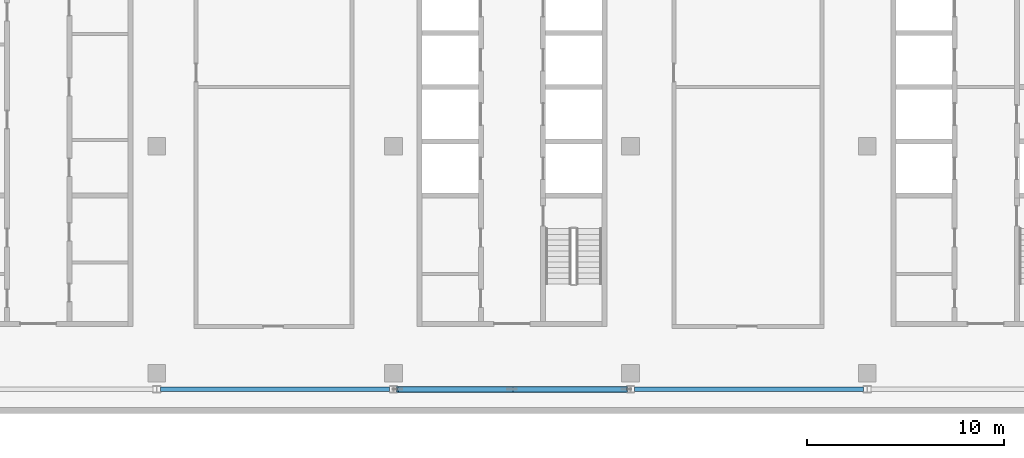
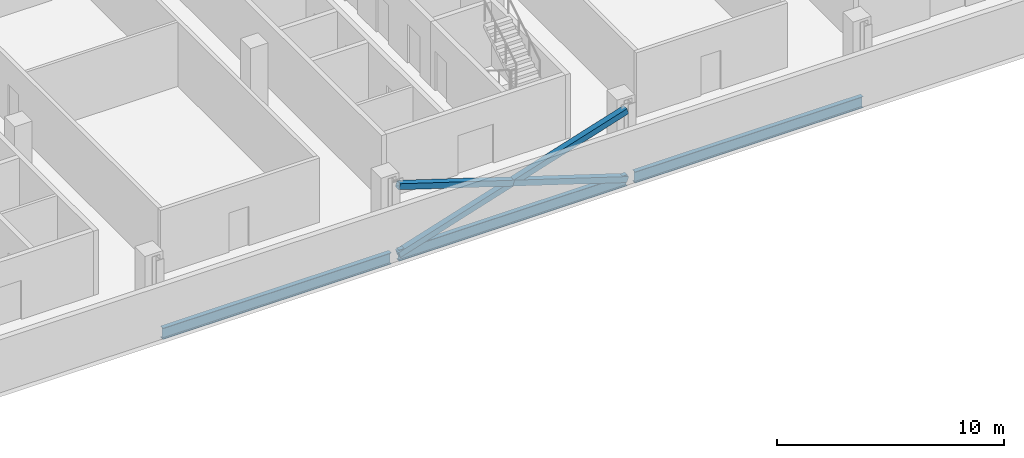
# One storey, part 7 of 28: 3 beams, 3 members.
"""IFC4 building model written with IfcOpenShell, lengths in metres."""

from ifc_helpers import new_model, si_unit, direction, frame, origin, origin_2d, place, context, subcontext, project, spatial, hollow_rectangle, i_section, extrude, material, material_profile, profile_set, type_object, element, save


model = new_model("IFC4")

# Units and contexts
model_context = context("Model", 3, precision=1e-05, world=origin(), true_north=direction((0.0, 1.0)))
body_context = subcontext(model_context, "Body", "Model", "MODEL_VIEW")
ifc_project = project(units=[si_unit("LENGTHUNIT", "METRE"), si_unit("AREAUNIT", "SQUARE_METRE"), si_unit("VOLUMEUNIT", "CUBIC_METRE"), si_unit("PLANEANGLEUNIT", "RADIAN"), si_unit("MASSUNIT", "GRAM", prefix="KILO")], contexts=[model_context])

# Site, building, storey
site_placement = place(None, origin())
site = spatial("IfcSite", under=ifc_project, at=site_placement, CompositionType="ELEMENT")
building_placement = place(site_placement, origin())
building = spatial("IfcBuilding", under=site, at=building_placement, Name="Mahtab Terrace Research Tower", CompositionType="ELEMENT")
storey_placement = place(building_placement, frame((0.0, 0.0, 270.89990234375)))
storey = spatial("IfcBuildingStorey", under=building, at=storey_placement, Name="L66", CompositionType="ELEMENT", Elevation=270.89990234375)

# Members
ifc_material_1 = material(Name="Steel ASTM A500 Gr C", Category="steel")
ifc_material_profile_1 = material_profile(ifc_material_1, hollow_rectangle(XDim=0.3046875, YDim=0.3046875, WallThickness=0.015869140625, at=origin_2d()), Name="HSS12X12X5/8")
ifc_profile_set_1 = profile_set([ifc_material_profile_1], Name="Steel ASTM A500 Gr C")
member_type = type_object("IfcMemberType", Name="HSS 12x12x5/8 brace XB121258", PredefinedType="BRACE", material=ifc_profile_set_1)
member_placement = place(storey_placement, frame((-5.80322265625, -12.306884765625, -0.5810546875), z_axis=(0.953344149173, 0.0, 0.301885629399), x_axis=(0.0, 1.0, 0.0)))
element("IfcMember", 1, at=member_placement, inside=storey, type_object=member_type, Name="Exoskeleton brace L66 17 a", PredefinedType="BRACE", context=body_context, shape_type="SweptSolid", body=[
    extrude(hollow_rectangle(XDim=0.3046875, YDim=0.3046875, WallThickness=0.015869140625, at=origin_2d()), origin(), (0.0, 0.0, 1.0), 12.174560546875),
])
for number, where, z_axis, x_axis, name in (
    (2, (5.80322265625, -12.306884765625, -0.5810546875), (-0.953344149173, 0.0, 0.301885629399), (0.0, -1.0, 0.0), "Exoskeleton brace L66 17 b1"),
    (3, (0.0, -12.306884765625, 1.256591796875), (-0.953344149173, 0.0, 0.301885629399), (0.0, -1.0, 0.0), "Exoskeleton brace L66 17 b2"),
):
    element("IfcMember", number, at=place(storey_placement, frame(where, z_axis=z_axis, x_axis=x_axis)), inside=storey, type_object=member_type, Name=name, PredefinedType="BRACE", context=body_context, shape_type="SweptSolid", body=[
        extrude(hollow_rectangle(XDim=0.3046875, YDim=0.3046875, WallThickness=0.015869140625, at=origin_2d()), origin(), (0.0, 0.0, 1.0), 6.087158203125),
    ])

# Beams
ifc_material_2 = material(Name="Steel ASTM A992 Gr 50", Category="steel")
ifc_material_profile_2 = material_profile(ifc_material_2, i_section(OverallWidth=0.228271484375, OverallDepth=0.607177734375, WebThickness=0.01123046875, FlangeThickness=0.017333984375, at=origin_2d()), Name="W24X76")
ifc_profile_set_2 = profile_set([ifc_material_profile_2], Name="Steel ASTM A992 Gr 50")
beam_type = type_object("IfcBeamType", Name="W24x76 beam BS2476", PredefinedType="BEAM", material=ifc_profile_set_2)
for number, where, z_axis, x_axis, name in (
    (4, (-17.80322265625, -12.306884765625, -0.6435546875), (1.0, 0.0, 0.0), (0.0, 1.0, 0.0), "Spandrel beam L66 16"),
    (5, (-5.80322265625, -12.306884765625, -0.6435546875), (1.0, 0.0, 0.0), (0.0, 1.0, 0.0), "Spandrel beam L66 17"),
    (6, (6.19677734375, -12.306884765625, -0.6435546875), (1.0, 0.0, 0.0), (0.0, 1.0, 0.0), "Spandrel beam L66 18"),
):
    element("IfcBeam", number, at=place(storey_placement, frame(where, z_axis=z_axis, x_axis=x_axis)), inside=storey, type_object=beam_type, Name=name, PredefinedType="BEAM", context=body_context, shape_type="SweptSolid", body=[
        extrude(i_section(OverallWidth=0.228271484375, OverallDepth=0.607177734375, WebThickness=0.01123046875, FlangeThickness=0.017333984375, at=origin_2d()), origin(), (0.0, 0.0, 1.0), 11.6064453125),
    ])

save(model, "model.ifc")
